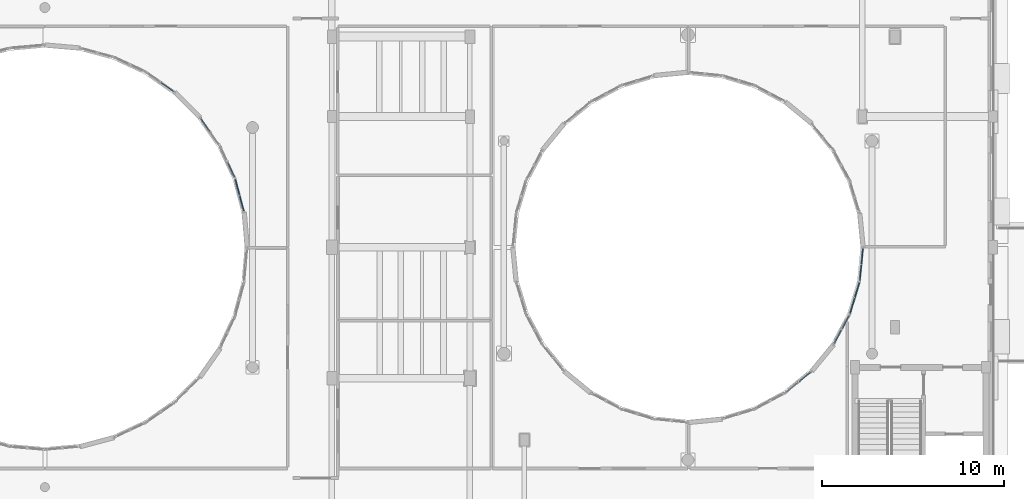
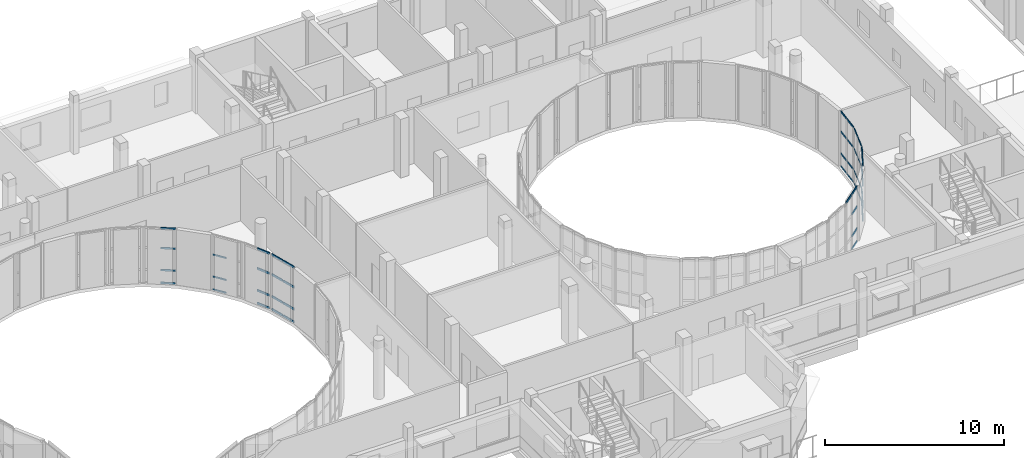
# One storey, part 51 of 89: 48 members, 8 elements without a shape of their own.
"""IFC4 building model written with IfcOpenShell, lengths in metres."""

from ifc_helpers import new_model, si_unit, direction, frame, origin, origin_2d, place, context, subcontext, project, spatial, hollow_rectangle, extrude, material, layer, layer_set, material_profile, profile_set, type_object, element, aggregate, save


model = new_model("IFC4")

# Units and contexts
model_context = context("Model", 3, precision=1e-05, world=origin(), true_north=direction((0.0, 1.0)))
body_context = subcontext(model_context, "Body", "Model", "MODEL_VIEW")
ifc_project = project(units=[si_unit("LENGTHUNIT", "METRE"), si_unit("AREAUNIT", "SQUARE_METRE"), si_unit("VOLUMEUNIT", "CUBIC_METRE"), si_unit("PLANEANGLEUNIT", "RADIAN"), si_unit("MASSUNIT", "GRAM", prefix="KILO")], contexts=[model_context])

# Site, building, storey
site_placement = place(None, origin())
site = spatial("IfcSite", under=ifc_project, at=site_placement, CompositionType="ELEMENT")
building_placement = place(site_placement, origin())
building = spatial("IfcBuilding", under=site, at=building_placement, Name="Kelanivale Promenade Academy", CompositionType="ELEMENT")
storey_placement = place(building_placement, frame((0.0, 0.0, 12.199951171875)))
storey = spatial("IfcBuildingStorey", under=building, at=storey_placement, Name="L03", CompositionType="ELEMENT", Elevation=12.199951171875)

# Curtain wall, members
ifc_material_1 = material(Name="Bronze anodised aluminium and solar-control low-E glass", Category="aluminium")
ifc_layer_1 = layer(ifc_material_1, 0.159912109375)
ifc_layer_set_1 = layer_set([ifc_layer_1], Name="Bronze anodised aluminium and solar-control low-E glass")
curtain_wall_type_1 = type_object("IfcCurtainWallType", Name="CW-09 Curtain Wall 1650mm Module", PredefinedType="USERDEFINED", material=ifc_layer_set_1)
curtain_wall_1_placement = place(storey_placement, origin())
curtain_wall_1 = element("IfcCurtainWall", 1, at=curtain_wall_1_placement, inside=storey, type_object=curtain_wall_type_1, Name="L03 courtyard curtain wall CW-09", ObjectType="UNITISED GLAZING", PredefinedType="USERDEFINED")
ifc_material_2 = material(Name="Bronze anodised aluminium EN AW-6063 T6", Category="aluminium")
ifc_material_profile_1 = material_profile(ifc_material_2, hollow_rectangle(XDim=0.050048828125, YDim=0.10009765625, WallThickness=0.0029296875, at=origin_2d()), Name="ALU 50x100x3.0")
ifc_profile_set_1 = profile_set([ifc_material_profile_1], Name="Bronze anodised aluminium EN AW-6063 T6")
member_type_1 = type_object("IfcMemberType", Name="CWT-01 ALU 50x100x3.0", PredefinedType="USERDEFINED", material=ifc_profile_set_1)
member_1_placement = place(storey_placement, frame((107.728515625, 53.181396484375, 0.025146484375), z_axis=(0.289983226076, 0.957031728102, 0.0), x_axis=(-0.957031728102, 0.289983226076, 0.0)))
member_1 = element("IfcMember", 2, at=member_1_placement, type_object=member_type_1, Name="CW-09 transom 1.1", ObjectType="TRANSOM", PredefinedType="USERDEFINED", context=body_context, shape_type="SweptSolid", body=[
    extrude(hollow_rectangle(XDim=0.050048828125, YDim=0.10009765625, WallThickness=0.0029296875, at=origin_2d()), origin(), (0.0, 0.0, 1.0), 0.841064453125),
])
member_2_placement = place(storey_placement, frame((107.728515625, 53.181396484375, 0.900146484375), z_axis=(0.289983226076, 0.957031728102, 0.0), x_axis=(-0.957031728102, 0.289983226076, 0.0)))
member_2 = element("IfcMember", 3, at=member_2_placement, type_object=member_type_1, Name="CW-09 transom 1.2", ObjectType="TRANSOM", PredefinedType="USERDEFINED", context=body_context, shape_type="SweptSolid", body=[
    extrude(hollow_rectangle(XDim=0.050048828125, YDim=0.10009765625, WallThickness=0.0029296875, at=origin_2d()), origin(), (0.0, 0.0, 1.0), 0.841064453125),
])
member_3_placement = place(storey_placement, frame((107.728515625, 53.181396484375, 2.400146484375), z_axis=(0.289983226076, 0.957031728102, 0.0), x_axis=(-0.957031728102, 0.289983226076, 0.0)))
member_3 = element("IfcMember", 4, at=member_3_placement, type_object=member_type_1, Name="CW-09 transom 1.3", ObjectType="TRANSOM", PredefinedType="USERDEFINED", context=body_context, shape_type="SweptSolid", body=[
    extrude(hollow_rectangle(XDim=0.050048828125, YDim=0.10009765625, WallThickness=0.0029296875, at=origin_2d()), origin(), (0.0, 0.0, 1.0), 0.841064453125),
])
member_4_placement = place(storey_placement, frame((107.728515625, 53.181396484375, 3.755126953125), z_axis=(0.289983226076, 0.957031728102, 0.0), x_axis=(-0.957031728102, 0.289983226076, 0.0)))
member_4 = element("IfcMember", 5, at=member_4_placement, type_object=member_type_1, Name="CW-09 transom 1.4", ObjectType="TRANSOM", PredefinedType="USERDEFINED", context=body_context, shape_type="SweptSolid", body=[
    extrude(hollow_rectangle(XDim=0.050048828125, YDim=0.10009765625, WallThickness=0.0029296875, at=origin_2d()), origin(), (0.0, 0.0, 1.0), 0.841064453125),
])
member_5_placement = place(storey_placement, frame((107.98974609375, 54.043701171875, 0.025146484375), z_axis=(0.289983226076, 0.957031728102, 0.0), x_axis=(-0.957031728102, 0.289983226076, 0.0)))
member_5 = element("IfcMember", 6, at=member_5_placement, type_object=member_type_1, Name="CW-09 transom 2.1", ObjectType="TRANSOM", PredefinedType="USERDEFINED", context=body_context, shape_type="SweptSolid", body=[
    extrude(hollow_rectangle(XDim=0.050048828125, YDim=0.10009765625, WallThickness=0.0029296875, at=origin_2d()), origin(), (0.0, 0.0, 1.0), 0.841064453125),
])
member_6_placement = place(storey_placement, frame((107.98974609375, 54.043701171875, 0.900146484375), z_axis=(0.289983226076, 0.957031728102, 0.0), x_axis=(-0.957031728102, 0.289983226076, 0.0)))
member_6 = element("IfcMember", 7, at=member_6_placement, type_object=member_type_1, Name="CW-09 transom 2.2", ObjectType="TRANSOM", PredefinedType="USERDEFINED", context=body_context, shape_type="SweptSolid", body=[
    extrude(hollow_rectangle(XDim=0.050048828125, YDim=0.10009765625, WallThickness=0.0029296875, at=origin_2d()), origin(), (0.0, 0.0, 1.0), 0.841064453125),
])
member_7_placement = place(storey_placement, frame((107.98974609375, 54.043701171875, 2.400146484375), z_axis=(0.289983226076, 0.957031728102, 0.0), x_axis=(-0.957031728102, 0.289983226076, 0.0)))
member_7 = element("IfcMember", 8, at=member_7_placement, type_object=member_type_1, Name="CW-09 transom 2.3", ObjectType="TRANSOM", PredefinedType="USERDEFINED", context=body_context, shape_type="SweptSolid", body=[
    extrude(hollow_rectangle(XDim=0.050048828125, YDim=0.10009765625, WallThickness=0.0029296875, at=origin_2d()), origin(), (0.0, 0.0, 1.0), 0.841064453125),
])
member_8_placement = place(storey_placement, frame((107.98974609375, 54.043701171875, 3.755126953125), z_axis=(0.289983226076, 0.957031728102, 0.0), x_axis=(-0.957031728102, 0.289983226076, 0.0)))
member_8 = element("IfcMember", 9, at=member_8_placement, type_object=member_type_1, Name="CW-09 transom 2.4", ObjectType="TRANSOM", PredefinedType="USERDEFINED", context=body_context, shape_type="SweptSolid", body=[
    extrude(hollow_rectangle(XDim=0.050048828125, YDim=0.10009765625, WallThickness=0.0029296875, at=origin_2d()), origin(), (0.0, 0.0, 1.0), 0.841064453125),
])
aggregate(curtain_wall_1, [member_1, member_2, member_3, member_4, member_5, member_6, member_7, member_8])

ifc_layer_2 = layer(ifc_material_1, 0.169921875)
ifc_layer_set_2 = layer_set([ifc_layer_2], Name="Bronze anodised aluminium and solar-control low-E glass")
curtain_wall_type_2 = type_object("IfcCurtainWallType", Name="CW-13 Curtain Wall 1350mm Module", PredefinedType="USERDEFINED", material=ifc_layer_set_2)
curtain_wall_2_placement = place(storey_placement, origin())
curtain_wall_2 = element("IfcCurtainWall", 10, at=curtain_wall_2_placement, inside=storey, type_object=curtain_wall_type_2, Name="L03 courtyard curtain wall CW-13", ObjectType="COURTYARD SCREEN GLAZING", PredefinedType="USERDEFINED")
member_9_placement = place(storey_placement, frame((72.478271484375, 63.18408203125, 0.025146484375), z_axis=(-0.573329193297, 0.819325110144, 0.0), x_axis=(-0.819325110144, -0.573329193297, 0.0)))
member_9 = element("IfcMember", 11, at=member_9_placement, type_object=member_type_1, Name="CW-13 transom 2.1", ObjectType="TRANSOM", PredefinedType="USERDEFINED", context=body_context, shape_type="SweptSolid", body=[
    extrude(hollow_rectangle(XDim=0.050048828125, YDim=0.10009765625, WallThickness=0.0029296875, at=origin_2d()), origin(), (0.0, 0.0, 1.0), 0.861572265625),
])
member_10_placement = place(storey_placement, frame((72.478271484375, 63.18408203125, 0.900146484375), z_axis=(-0.573329193297, 0.819325110144, 0.0), x_axis=(-0.819325110144, -0.573329193297, 0.0)))
member_10 = element("IfcMember", 12, at=member_10_placement, type_object=member_type_1, Name="CW-13 transom 2.2", ObjectType="TRANSOM", PredefinedType="USERDEFINED", context=body_context, shape_type="SweptSolid", body=[
    extrude(hollow_rectangle(XDim=0.050048828125, YDim=0.10009765625, WallThickness=0.0029296875, at=origin_2d()), origin(), (0.0, 0.0, 1.0), 0.861572265625),
])
member_11_placement = place(storey_placement, frame((72.478271484375, 63.18408203125, 2.400146484375), z_axis=(-0.573329193297, 0.819325110144, 0.0), x_axis=(-0.819325110144, -0.573329193297, 0.0)))
member_11 = element("IfcMember", 13, at=member_11_placement, type_object=member_type_1, Name="CW-13 transom 2.3", ObjectType="TRANSOM", PredefinedType="USERDEFINED", context=body_context, shape_type="SweptSolid", body=[
    extrude(hollow_rectangle(XDim=0.050048828125, YDim=0.10009765625, WallThickness=0.0029296875, at=origin_2d()), origin(), (0.0, 0.0, 1.0), 0.861572265625),
])
aggregate(curtain_wall_2, [member_9, member_10, member_11])

ifc_layer_3 = layer(ifc_material_1, 0.169921875)
ifc_layer_set_3 = layer_set([ifc_layer_3], Name="Bronze anodised aluminium and solar-control low-E glass")
curtain_wall_type_3 = type_object("IfcCurtainWallType", Name="CW-10 Curtain Wall 1800mm Module", PredefinedType="USERDEFINED", material=ifc_layer_set_3)
curtain_wall_3_placement = place(storey_placement, origin())
curtain_wall_3 = element("IfcCurtainWall", 14, at=curtain_wall_3_placement, inside=storey, type_object=curtain_wall_type_3, Name="L03 courtyard curtain wall CW-10", ObjectType="UNITISED GLAZING", PredefinedType="USERDEFINED")
ifc_material_profile_2 = material_profile(ifc_material_2, hollow_rectangle(XDim=0.050048828125, YDim=0.1201171875, WallThickness=0.0029296875, at=origin_2d()), Name="ALU 50x120x3.0")
ifc_profile_set_2 = profile_set([ifc_material_profile_2], Name="Bronze anodised aluminium EN AW-6063 T6")
member_type_2 = type_object("IfcMemberType", Name="CWT-02 ALU 50x120x3.0", PredefinedType="USERDEFINED", material=ifc_profile_set_2)
member_12_placement = place(storey_placement, frame((108.261962890625, 54.99267578125, 0.025146484375), z_axis=(0.098401799113, 0.995146766026, 0.0), x_axis=(-0.995146766026, 0.098401799113, 0.0)))
member_12 = element("IfcMember", 15, at=member_12_placement, type_object=member_type_2, Name="CW-10 transom 1.1", ObjectType="TRANSOM", PredefinedType="USERDEFINED", context=body_context, shape_type="SweptSolid", body=[
    extrude(hollow_rectangle(XDim=0.050048828125, YDim=0.1201171875, WallThickness=0.0029296875, at=origin_2d()), origin(), (0.0, 0.0, 1.0), 0.833740234375),
])
member_13_placement = place(storey_placement, frame((108.261962890625, 54.99267578125, 0.900146484375), z_axis=(0.098401799113, 0.995146766026, 0.0), x_axis=(-0.995146766026, 0.098401799113, 0.0)))
member_13 = element("IfcMember", 16, at=member_13_placement, type_object=member_type_2, Name="CW-10 transom 1.2", ObjectType="TRANSOM", PredefinedType="USERDEFINED", context=body_context, shape_type="SweptSolid", body=[
    extrude(hollow_rectangle(XDim=0.050048828125, YDim=0.1201171875, WallThickness=0.0029296875, at=origin_2d()), origin(), (0.0, 0.0, 1.0), 0.833740234375),
])
member_14_placement = place(storey_placement, frame((108.261962890625, 54.99267578125, 2.400146484375), z_axis=(0.098401799113, 0.995146766026, 0.0), x_axis=(-0.995146766026, 0.098401799113, 0.0)))
member_14 = element("IfcMember", 17, at=member_14_placement, type_object=member_type_2, Name="CW-10 transom 1.3", ObjectType="TRANSOM", PredefinedType="USERDEFINED", context=body_context, shape_type="SweptSolid", body=[
    extrude(hollow_rectangle(XDim=0.050048828125, YDim=0.1201171875, WallThickness=0.0029296875, at=origin_2d()), origin(), (0.0, 0.0, 1.0), 0.833740234375),
])
member_15_placement = place(storey_placement, frame((108.261962890625, 54.99267578125, 3.755126953125), z_axis=(0.098401799113, 0.995146766026, 0.0), x_axis=(-0.995146766026, 0.098401799113, 0.0)))
member_15 = element("IfcMember", 18, at=member_15_placement, type_object=member_type_2, Name="CW-10 transom 1.4", ObjectType="TRANSOM", PredefinedType="USERDEFINED", context=body_context, shape_type="SweptSolid", body=[
    extrude(hollow_rectangle(XDim=0.050048828125, YDim=0.1201171875, WallThickness=0.0029296875, at=origin_2d()), origin(), (0.0, 0.0, 1.0), 0.833740234375),
])
member_16_placement = place(storey_placement, frame((108.349853515625, 55.8818359375, 0.025146484375), z_axis=(0.098720582839, 0.99511519259, 0.0), x_axis=(-0.99511519259, 0.098720582839, 0.0)))
member_16 = element("IfcMember", 19, at=member_16_placement, type_object=member_type_2, Name="CW-10 transom 2.1", ObjectType="TRANSOM", PredefinedType="USERDEFINED", context=body_context, shape_type="SweptSolid", body=[
    extrude(hollow_rectangle(XDim=0.050048828125, YDim=0.1201171875, WallThickness=0.0029296875, at=origin_2d()), origin(), (0.0, 0.0, 1.0), 0.83349609375),
])
member_17_placement = place(storey_placement, frame((108.349853515625, 55.8818359375, 0.900146484375), z_axis=(0.098720582839, 0.99511519259, 0.0), x_axis=(-0.99511519259, 0.098720582839, 0.0)))
member_17 = element("IfcMember", 20, at=member_17_placement, type_object=member_type_2, Name="CW-10 transom 2.2", ObjectType="TRANSOM", PredefinedType="USERDEFINED", context=body_context, shape_type="SweptSolid", body=[
    extrude(hollow_rectangle(XDim=0.050048828125, YDim=0.1201171875, WallThickness=0.0029296875, at=origin_2d()), origin(), (0.0, 0.0, 1.0), 0.83349609375),
])
member_18_placement = place(storey_placement, frame((108.349853515625, 55.8818359375, 2.400146484375), z_axis=(0.098720582839, 0.99511519259, 0.0), x_axis=(-0.99511519259, 0.098720582839, 0.0)))
member_18 = element("IfcMember", 21, at=member_18_placement, type_object=member_type_2, Name="CW-10 transom 2.3", ObjectType="TRANSOM", PredefinedType="USERDEFINED", context=body_context, shape_type="SweptSolid", body=[
    extrude(hollow_rectangle(XDim=0.050048828125, YDim=0.1201171875, WallThickness=0.0029296875, at=origin_2d()), origin(), (0.0, 0.0, 1.0), 0.83349609375),
])
member_19_placement = place(storey_placement, frame((108.349853515625, 55.8818359375, 3.755126953125), z_axis=(0.098720582839, 0.99511519259, 0.0), x_axis=(-0.99511519259, 0.098720582839, 0.0)))
member_19 = element("IfcMember", 22, at=member_19_placement, type_object=member_type_2, Name="CW-10 transom 2.4", ObjectType="TRANSOM", PredefinedType="USERDEFINED", context=body_context, shape_type="SweptSolid", body=[
    extrude(hollow_rectangle(XDim=0.050048828125, YDim=0.1201171875, WallThickness=0.0029296875, at=origin_2d()), origin(), (0.0, 0.0, 1.0), 0.83349609375),
])
aggregate(curtain_wall_3, [member_12, member_13, member_14, member_15, member_16, member_17, member_18, member_19])

ifc_layer_4 = layer(ifc_material_1, 0.179931640625)
ifc_layer_set_4 = layer_set([ifc_layer_4], Name="Bronze anodised aluminium and solar-control low-E glass")
curtain_wall_type_4 = type_object("IfcCurtainWallType", Name="CW-14 Curtain Wall 1500mm Module", PredefinedType="USERDEFINED", material=ifc_layer_set_4)
curtain_wall_4_placement = place(storey_placement, origin())
curtain_wall_4 = element("IfcCurtainWall", 23, at=curtain_wall_4_placement, inside=storey, type_object=curtain_wall_type_4, Name="L03 courtyard curtain wall CW-14", ObjectType="COURTYARD SCREEN GLAZING", PredefinedType="USERDEFINED")
member_20_placement = place(storey_placement, frame((70.48974609375, 65.384521484375, 0.025146484375), z_axis=(-0.819231920519, 0.573462344363, 0.0), x_axis=(-0.573462344363, -0.819231920519, 0.0)))
member_20 = element("IfcMember", 24, at=member_20_placement, type_object=member_type_2, Name="CW-14 transom 1.1", ObjectType="TRANSOM", PredefinedType="USERDEFINED", context=body_context, shape_type="SweptSolid", body=[
    extrude(hollow_rectangle(XDim=0.050048828125, YDim=0.1201171875, WallThickness=0.0029296875, at=origin_2d()), origin(), (0.0, 0.0, 1.0), 0.861328125),
])
member_21_placement = place(storey_placement, frame((70.48974609375, 65.384521484375, 0.900146484375), z_axis=(-0.819231920519, 0.573462344363, 0.0), x_axis=(-0.573462344363, -0.819231920519, 0.0)))
member_21 = element("IfcMember", 25, at=member_21_placement, type_object=member_type_2, Name="CW-14 transom 1.2", ObjectType="TRANSOM", PredefinedType="USERDEFINED", context=body_context, shape_type="SweptSolid", body=[
    extrude(hollow_rectangle(XDim=0.050048828125, YDim=0.1201171875, WallThickness=0.0029296875, at=origin_2d()), origin(), (0.0, 0.0, 1.0), 0.861328125),
])
member_22_placement = place(storey_placement, frame((70.48974609375, 65.384521484375, 2.400146484375), z_axis=(-0.819231920519, 0.573462344363, 0.0), x_axis=(-0.573462344363, -0.819231920519, 0.0)))
member_22 = element("IfcMember", 26, at=member_22_placement, type_object=member_type_2, Name="CW-14 transom 1.3", ObjectType="TRANSOM", PredefinedType="USERDEFINED", context=body_context, shape_type="SweptSolid", body=[
    extrude(hollow_rectangle(XDim=0.050048828125, YDim=0.1201171875, WallThickness=0.0029296875, at=origin_2d()), origin(), (0.0, 0.0, 1.0), 0.861328125),
])
member_23_placement = place(storey_placement, frame((70.48974609375, 65.384521484375, 3.755126953125), z_axis=(-0.819231920519, 0.573462344363, 0.0), x_axis=(-0.573462344363, -0.819231920519, 0.0)))
member_23 = element("IfcMember", 27, at=member_23_placement, type_object=member_type_2, Name="CW-14 transom 1.4", ObjectType="TRANSOM", PredefinedType="USERDEFINED", context=body_context, shape_type="SweptSolid", body=[
    extrude(hollow_rectangle(XDim=0.050048828125, YDim=0.1201171875, WallThickness=0.0029296875, at=origin_2d()), origin(), (0.0, 0.0, 1.0), 0.861328125),
])
aggregate(curtain_wall_4, [member_20, member_21, member_22, member_23])

ifc_layer_5 = layer(ifc_material_1, 0.169921875)
ifc_layer_set_5 = layer_set([ifc_layer_5], Name="Bronze anodised aluminium and solar-control low-E glass")
curtain_wall_type_5 = type_object("IfcCurtainWallType", Name="CW-07 Curtain Wall 1350mm Module", PredefinedType="USERDEFINED", material=ifc_layer_set_5)
curtain_wall_5_placement = place(storey_placement, origin())
curtain_wall_5 = element("IfcCurtainWall", 28, at=curtain_wall_5_placement, inside=storey, type_object=curtain_wall_type_5, Name="L03 courtyard curtain wall CW-07", ObjectType="UNITISED GLAZING", PredefinedType="USERDEFINED")
ifc_material_profile_3 = material_profile(ifc_material_2, hollow_rectangle(XDim=0.050048828125, YDim=0.14990234375, WallThickness=0.00341796875, at=origin_2d()), Name="ALU 50x150x3.5")
ifc_profile_set_3 = profile_set([ifc_material_profile_3], Name="Bronze anodised aluminium EN AW-6063 T6")
member_type_3 = type_object("IfcMemberType", Name="CWT-03 ALU 50x150x3.5", PredefinedType="USERDEFINED", material=ifc_profile_set_3)
member_24_placement = place(storey_placement, frame((104.21728515625, 48.834228515625, 3.755126953125), z_axis=(0.7732851825, 0.634058377853, 0.0), x_axis=(-0.634058377853, 0.7732851825, 0.0)))
member_24 = element("IfcMember", 29, at=member_24_placement, type_object=member_type_3, Name="CW-07 transom 1.4", ObjectType="TRANSOM", PredefinedType="USERDEFINED", context=body_context, shape_type="SweptSolid", body=[
    extrude(hollow_rectangle(XDim=0.050048828125, YDim=0.14990234375, WallThickness=0.00341796875, at=origin_2d()), origin(), (0.0, 0.0, 1.0), 0.825927734375),
])
member_25_placement = place(storey_placement, frame((104.90625, 49.399169921875, 0.025146484375), z_axis=(0.773166302346, 0.634203334047, 0.0), x_axis=(-0.634203334047, 0.773166302346, 0.0)))
member_25 = element("IfcMember", 30, at=member_25_placement, type_object=member_type_3, Name="CW-07 transom 2.1", ObjectType="TRANSOM", PredefinedType="USERDEFINED", context=body_context, shape_type="SweptSolid", body=[
    extrude(hollow_rectangle(XDim=0.050048828125, YDim=0.14990234375, WallThickness=0.00341796875, at=origin_2d()), origin(), (0.0, 0.0, 1.0), 0.82568359375),
])
member_26_placement = place(storey_placement, frame((104.90625, 49.399169921875, 0.900146484375), z_axis=(0.773166302346, 0.634203334047, 0.0), x_axis=(-0.634203334047, 0.773166302346, 0.0)))
member_26 = element("IfcMember", 31, at=member_26_placement, type_object=member_type_3, Name="CW-07 transom 2.2", ObjectType="TRANSOM", PredefinedType="USERDEFINED", context=body_context, shape_type="SweptSolid", body=[
    extrude(hollow_rectangle(XDim=0.050048828125, YDim=0.14990234375, WallThickness=0.00341796875, at=origin_2d()), origin(), (0.0, 0.0, 1.0), 0.82568359375),
])
member_27_placement = place(storey_placement, frame((104.90625, 49.399169921875, 2.400146484375), z_axis=(0.773166302346, 0.634203334047, 0.0), x_axis=(-0.634203334047, 0.773166302346, 0.0)))
member_27 = element("IfcMember", 32, at=member_27_placement, type_object=member_type_3, Name="CW-07 transom 2.3", ObjectType="TRANSOM", PredefinedType="USERDEFINED", context=body_context, shape_type="SweptSolid", body=[
    extrude(hollow_rectangle(XDim=0.050048828125, YDim=0.14990234375, WallThickness=0.00341796875, at=origin_2d()), origin(), (0.0, 0.0, 1.0), 0.82568359375),
])
member_28_placement = place(storey_placement, frame((104.90625, 49.399169921875, 3.755126953125), z_axis=(0.773166302346, 0.634203334047, 0.0), x_axis=(-0.634203334047, 0.773166302346, 0.0)))
member_28 = element("IfcMember", 33, at=member_28_placement, type_object=member_type_3, Name="CW-07 transom 2.4", ObjectType="TRANSOM", PredefinedType="USERDEFINED", context=body_context, shape_type="SweptSolid", body=[
    extrude(hollow_rectangle(XDim=0.050048828125, YDim=0.14990234375, WallThickness=0.00341796875, at=origin_2d()), origin(), (0.0, 0.0, 1.0), 0.82568359375),
])
aggregate(curtain_wall_5, [member_24, member_25, member_26, member_27, member_28])

ifc_layer_6 = layer(ifc_material_1, 0.179931640625)
ifc_layer_set_6 = layer_set([ifc_layer_6], Name="Bronze anodised aluminium and solar-control low-E glass")
curtain_wall_type_6 = type_object("IfcCurtainWallType", Name="CW-11 Curtain Wall 1950mm Module", PredefinedType="USERDEFINED", material=ifc_layer_set_6)
curtain_wall_6_placement = place(storey_placement, origin())
curtain_wall_6 = element("IfcCurtainWall", 34, at=curtain_wall_6_placement, inside=storey, type_object=curtain_wall_type_6, Name="L03 courtyard curtain wall CW-11", ObjectType="UNITISED GLAZING", PredefinedType="USERDEFINED")
member_29_placement = place(storey_placement, frame((74.34716796875, 58.82275390625, 0.025146484375), z_axis=(-0.258445504102, 0.966025838893, 0.0), x_axis=(-0.966025838893, -0.258445504102, 0.0)))
member_29 = element("IfcMember", 35, at=member_29_placement, type_object=member_type_3, Name="CW-11 transom 1.1", ObjectType="TRANSOM", PredefinedType="USERDEFINED", context=body_context, shape_type="SweptSolid", body=[
    extrude(hollow_rectangle(XDim=0.050048828125, YDim=0.14990234375, WallThickness=0.00341796875, at=origin_2d()), origin(), (0.0, 0.0, 1.0), 0.85400390625),
])
member_30_placement = place(storey_placement, frame((74.34716796875, 58.82275390625, 0.900146484375), z_axis=(-0.258445504102, 0.966025838893, 0.0), x_axis=(-0.966025838893, -0.258445504102, 0.0)))
member_30 = element("IfcMember", 36, at=member_30_placement, type_object=member_type_3, Name="CW-11 transom 1.2", ObjectType="TRANSOM", PredefinedType="USERDEFINED", context=body_context, shape_type="SweptSolid", body=[
    extrude(hollow_rectangle(XDim=0.050048828125, YDim=0.14990234375, WallThickness=0.00341796875, at=origin_2d()), origin(), (0.0, 0.0, 1.0), 0.85400390625),
])
member_31_placement = place(storey_placement, frame((74.34716796875, 58.82275390625, 2.400146484375), z_axis=(-0.258445504102, 0.966025838893, 0.0), x_axis=(-0.966025838893, -0.258445504102, 0.0)))
member_31 = element("IfcMember", 37, at=member_31_placement, type_object=member_type_3, Name="CW-11 transom 1.3", ObjectType="TRANSOM", PredefinedType="USERDEFINED", context=body_context, shape_type="SweptSolid", body=[
    extrude(hollow_rectangle(XDim=0.050048828125, YDim=0.14990234375, WallThickness=0.00341796875, at=origin_2d()), origin(), (0.0, 0.0, 1.0), 0.85400390625),
])
member_32_placement = place(storey_placement, frame((74.34716796875, 58.82275390625, 3.755126953125), z_axis=(-0.258445504102, 0.966025838893, 0.0), x_axis=(-0.966025838893, -0.258445504102, 0.0)))
member_32 = element("IfcMember", 38, at=member_32_placement, type_object=member_type_3, Name="CW-11 transom 1.4", ObjectType="TRANSOM", PredefinedType="USERDEFINED", context=body_context, shape_type="SweptSolid", body=[
    extrude(hollow_rectangle(XDim=0.050048828125, YDim=0.14990234375, WallThickness=0.00341796875, at=origin_2d()), origin(), (0.0, 0.0, 1.0), 0.85400390625),
])
member_33_placement = place(storey_placement, frame((74.109619140625, 59.71044921875, 0.025146484375), z_axis=(-0.258516900111, 0.966006735151, 0.0), x_axis=(-0.966006735151, -0.258516900111, 0.0)))
member_33 = element("IfcMember", 39, at=member_33_placement, type_object=member_type_3, Name="CW-11 transom 2.1", ObjectType="TRANSOM", PredefinedType="USERDEFINED", context=body_context, shape_type="SweptSolid", body=[
    extrude(hollow_rectangle(XDim=0.050048828125, YDim=0.14990234375, WallThickness=0.00341796875, at=origin_2d()), origin(), (0.0, 0.0, 1.0), 0.853759765625),
])
member_34_placement = place(storey_placement, frame((74.109619140625, 59.71044921875, 0.900146484375), z_axis=(-0.258516900111, 0.966006735151, 0.0), x_axis=(-0.966006735151, -0.258516900111, 0.0)))
member_34 = element("IfcMember", 40, at=member_34_placement, type_object=member_type_3, Name="CW-11 transom 2.2", ObjectType="TRANSOM", PredefinedType="USERDEFINED", context=body_context, shape_type="SweptSolid", body=[
    extrude(hollow_rectangle(XDim=0.050048828125, YDim=0.14990234375, WallThickness=0.00341796875, at=origin_2d()), origin(), (0.0, 0.0, 1.0), 0.853759765625),
])
member_35_placement = place(storey_placement, frame((74.109619140625, 59.71044921875, 2.400146484375), z_axis=(-0.258516900111, 0.966006735151, 0.0), x_axis=(-0.966006735151, -0.258516900111, 0.0)))
member_35 = element("IfcMember", 41, at=member_35_placement, type_object=member_type_3, Name="CW-11 transom 2.3", ObjectType="TRANSOM", PredefinedType="USERDEFINED", context=body_context, shape_type="SweptSolid", body=[
    extrude(hollow_rectangle(XDim=0.050048828125, YDim=0.14990234375, WallThickness=0.00341796875, at=origin_2d()), origin(), (0.0, 0.0, 1.0), 0.853759765625),
])
member_36_placement = place(storey_placement, frame((74.109619140625, 59.71044921875, 3.755126953125), z_axis=(-0.258516900111, 0.966006735151, 0.0), x_axis=(-0.966006735151, -0.258516900111, 0.0)))
member_36 = element("IfcMember", 42, at=member_36_placement, type_object=member_type_3, Name="CW-11 transom 2.4", ObjectType="TRANSOM", PredefinedType="USERDEFINED", context=body_context, shape_type="SweptSolid", body=[
    extrude(hollow_rectangle(XDim=0.050048828125, YDim=0.14990234375, WallThickness=0.00341796875, at=origin_2d()), origin(), (0.0, 0.0, 1.0), 0.853759765625),
])
aggregate(curtain_wall_6, [member_29, member_30, member_31, member_32, member_33, member_34, member_35, member_36])

ifc_layer_7 = layer(ifc_material_1, 0.179931640625)
ifc_layer_set_7 = layer_set([ifc_layer_7], Name="Bronze anodised aluminium and solar-control low-E glass")
curtain_wall_type_7 = type_object("IfcCurtainWallType", Name="CW-08 Curtain Wall 1500mm Module", PredefinedType="USERDEFINED", material=ifc_layer_set_7)
curtain_wall_7_placement = place(storey_placement, origin())
curtain_wall_7 = element("IfcCurtainWall", 43, at=curtain_wall_7_placement, inside=storey, type_object=curtain_wall_type_7, Name="L03 courtyard curtain wall CW-08", ObjectType="UNITISED GLAZING", PredefinedType="USERDEFINED")
ifc_material_profile_4 = material_profile(ifc_material_2, hollow_rectangle(XDim=0.06005859375, YDim=0.139892578125, WallThickness=0.00341796875, at=origin_2d()), Name="ALU 60x140x3.5")
ifc_profile_set_4 = profile_set([ifc_material_profile_4], Name="Bronze anodised aluminium EN AW-6063 T6")
member_type_4 = type_object("IfcMemberType", Name="CWT-04 ALU 60x140x3.5", PredefinedType="USERDEFINED", material=ifc_profile_set_4)
member_37_placement = place(storey_placement, frame((106.859619140625, 51.5263671875, 0.030029296875), z_axis=(0.471385192805, 0.881927434659, 0.0), x_axis=(-0.881927434659, 0.471385192805, 0.0)))
member_37 = element("IfcMember", 44, at=member_37_placement, type_object=member_type_4, Name="CW-08 transom 1.1", ObjectType="TRANSOM", PredefinedType="USERDEFINED", context=body_context, shape_type="SweptSolid", body=[
    extrude(hollow_rectangle(XDim=0.06005859375, YDim=0.139892578125, WallThickness=0.00341796875, at=origin_2d()), origin(), (0.0, 0.0, 1.0), 0.82666015625),
])
member_38_placement = place(storey_placement, frame((106.859619140625, 51.5263671875, 0.900146484375), z_axis=(0.471385192805, 0.881927434659, 0.0), x_axis=(-0.881927434659, 0.471385192805, 0.0)))
member_38 = element("IfcMember", 45, at=member_38_placement, type_object=member_type_4, Name="CW-08 transom 1.2", ObjectType="TRANSOM", PredefinedType="USERDEFINED", context=body_context, shape_type="SweptSolid", body=[
    extrude(hollow_rectangle(XDim=0.06005859375, YDim=0.139892578125, WallThickness=0.00341796875, at=origin_2d()), origin(), (0.0, 0.0, 1.0), 0.82666015625),
])
member_39_placement = place(storey_placement, frame((106.859619140625, 51.5263671875, 2.400146484375), z_axis=(0.471385192805, 0.881927434659, 0.0), x_axis=(-0.881927434659, 0.471385192805, 0.0)))
member_39 = element("IfcMember", 46, at=member_39_placement, type_object=member_type_4, Name="CW-08 transom 1.3", ObjectType="TRANSOM", PredefinedType="USERDEFINED", context=body_context, shape_type="SweptSolid", body=[
    extrude(hollow_rectangle(XDim=0.06005859375, YDim=0.139892578125, WallThickness=0.00341796875, at=origin_2d()), origin(), (0.0, 0.0, 1.0), 0.82666015625),
])
member_40_placement = place(storey_placement, frame((106.859619140625, 51.5263671875, 3.75), z_axis=(0.471385192805, 0.881927434659, 0.0), x_axis=(-0.881927434659, 0.471385192805, 0.0)))
member_40 = element("IfcMember", 47, at=member_40_placement, type_object=member_type_4, Name="CW-08 transom 1.4", ObjectType="TRANSOM", PredefinedType="USERDEFINED", context=body_context, shape_type="SweptSolid", body=[
    extrude(hollow_rectangle(XDim=0.06005859375, YDim=0.139892578125, WallThickness=0.00341796875, at=origin_2d()), origin(), (0.0, 0.0, 1.0), 0.82666015625),
])
member_41_placement = place(storey_placement, frame((107.27978515625, 52.312744140625, 0.030029296875), z_axis=(0.471385192805, 0.881927434659, 0.0), x_axis=(-0.881927434659, 0.471385192805, 0.0)))
member_41 = element("IfcMember", 48, at=member_41_placement, type_object=member_type_4, Name="CW-08 transom 2.1", ObjectType="TRANSOM", PredefinedType="USERDEFINED", context=body_context, shape_type="SweptSolid", body=[
    extrude(hollow_rectangle(XDim=0.06005859375, YDim=0.139892578125, WallThickness=0.00341796875, at=origin_2d()), origin(), (0.0, 0.0, 1.0), 0.82666015625),
])
member_42_placement = place(storey_placement, frame((107.27978515625, 52.312744140625, 0.900146484375), z_axis=(0.471385192805, 0.881927434659, 0.0), x_axis=(-0.881927434659, 0.471385192805, 0.0)))
member_42 = element("IfcMember", 49, at=member_42_placement, type_object=member_type_4, Name="CW-08 transom 2.2", ObjectType="TRANSOM", PredefinedType="USERDEFINED", context=body_context, shape_type="SweptSolid", body=[
    extrude(hollow_rectangle(XDim=0.06005859375, YDim=0.139892578125, WallThickness=0.00341796875, at=origin_2d()), origin(), (0.0, 0.0, 1.0), 0.82666015625),
])
member_43_placement = place(storey_placement, frame((107.27978515625, 52.312744140625, 2.400146484375), z_axis=(0.471385192805, 0.881927434659, 0.0), x_axis=(-0.881927434659, 0.471385192805, 0.0)))
member_43 = element("IfcMember", 50, at=member_43_placement, type_object=member_type_4, Name="CW-08 transom 2.3", ObjectType="TRANSOM", PredefinedType="USERDEFINED", context=body_context, shape_type="SweptSolid", body=[
    extrude(hollow_rectangle(XDim=0.06005859375, YDim=0.139892578125, WallThickness=0.00341796875, at=origin_2d()), origin(), (0.0, 0.0, 1.0), 0.82666015625),
])
member_44_placement = place(storey_placement, frame((107.27978515625, 52.312744140625, 3.75), z_axis=(0.471385192805, 0.881927434659, 0.0), x_axis=(-0.881927434659, 0.471385192805, 0.0)))
member_44 = element("IfcMember", 51, at=member_44_placement, type_object=member_type_4, Name="CW-08 transom 2.4", ObjectType="TRANSOM", PredefinedType="USERDEFINED", context=body_context, shape_type="SweptSolid", body=[
    extrude(hollow_rectangle(XDim=0.06005859375, YDim=0.139892578125, WallThickness=0.00341796875, at=origin_2d()), origin(), (0.0, 0.0, 1.0), 0.82666015625),
])
aggregate(curtain_wall_7, [member_37, member_38, member_39, member_40, member_41, member_42, member_43, member_44])

ifc_layer_8 = layer(ifc_material_1, 0.159912109375)
ifc_layer_set_8 = layer_set([ifc_layer_8], Name="Bronze anodised aluminium and solar-control low-E glass")
curtain_wall_type_8 = type_object("IfcCurtainWallType", Name="CW-12 Curtain Wall 1200mm Module", PredefinedType="USERDEFINED", material=ifc_layer_set_8)
curtain_wall_8_placement = place(storey_placement, origin())
curtain_wall_8 = element("IfcCurtainWall", 52, at=curtain_wall_8_placement, inside=storey, type_object=curtain_wall_type_8, Name="L03 courtyard curtain wall CW-12", ObjectType="UNITISED GLAZING", PredefinedType="USERDEFINED")
member_45_placement = place(storey_placement, frame((73.83642578125, 60.679931640625, 0.030029296875), z_axis=(-0.422900982369, 0.906175898549, 0.0), x_axis=(-0.906175898549, -0.422900982369, 0.0)))
member_45 = element("IfcMember", 53, at=member_45_placement, type_object=member_type_4, Name="CW-12 transom 1.1", ObjectType="TRANSOM", PredefinedType="USERDEFINED", context=body_context, shape_type="SweptSolid", body=[
    extrude(hollow_rectangle(XDim=0.06005859375, YDim=0.139892578125, WallThickness=0.00341796875, at=origin_2d()), origin(), (0.0, 0.0, 1.0), 0.861328125),
])
member_46_placement = place(storey_placement, frame((73.83642578125, 60.679931640625, 0.900146484375), z_axis=(-0.422900982369, 0.906175898549, 0.0), x_axis=(-0.906175898549, -0.422900982369, 0.0)))
member_46 = element("IfcMember", 54, at=member_46_placement, type_object=member_type_4, Name="CW-12 transom 1.2", ObjectType="TRANSOM", PredefinedType="USERDEFINED", context=body_context, shape_type="SweptSolid", body=[
    extrude(hollow_rectangle(XDim=0.06005859375, YDim=0.139892578125, WallThickness=0.00341796875, at=origin_2d()), origin(), (0.0, 0.0, 1.0), 0.861328125),
])
member_47_placement = place(storey_placement, frame((73.83642578125, 60.679931640625, 2.400146484375), z_axis=(-0.422900982369, 0.906175898549, 0.0), x_axis=(-0.906175898549, -0.422900982369, 0.0)))
member_47 = element("IfcMember", 55, at=member_47_placement, type_object=member_type_4, Name="CW-12 transom 1.3", ObjectType="TRANSOM", PredefinedType="USERDEFINED", context=body_context, shape_type="SweptSolid", body=[
    extrude(hollow_rectangle(XDim=0.06005859375, YDim=0.139892578125, WallThickness=0.00341796875, at=origin_2d()), origin(), (0.0, 0.0, 1.0), 0.861328125),
])
member_48_placement = place(storey_placement, frame((73.83642578125, 60.679931640625, 3.75), z_axis=(-0.422900982369, 0.906175898549, 0.0), x_axis=(-0.906175898549, -0.422900982369, 0.0)))
member_48 = element("IfcMember", 56, at=member_48_placement, type_object=member_type_4, Name="CW-12 transom 1.4", ObjectType="TRANSOM", PredefinedType="USERDEFINED", context=body_context, shape_type="SweptSolid", body=[
    extrude(hollow_rectangle(XDim=0.06005859375, YDim=0.139892578125, WallThickness=0.00341796875, at=origin_2d()), origin(), (0.0, 0.0, 1.0), 0.861328125),
])
aggregate(curtain_wall_8, [member_45, member_46, member_47, member_48])

save(model, "model.ifc")
